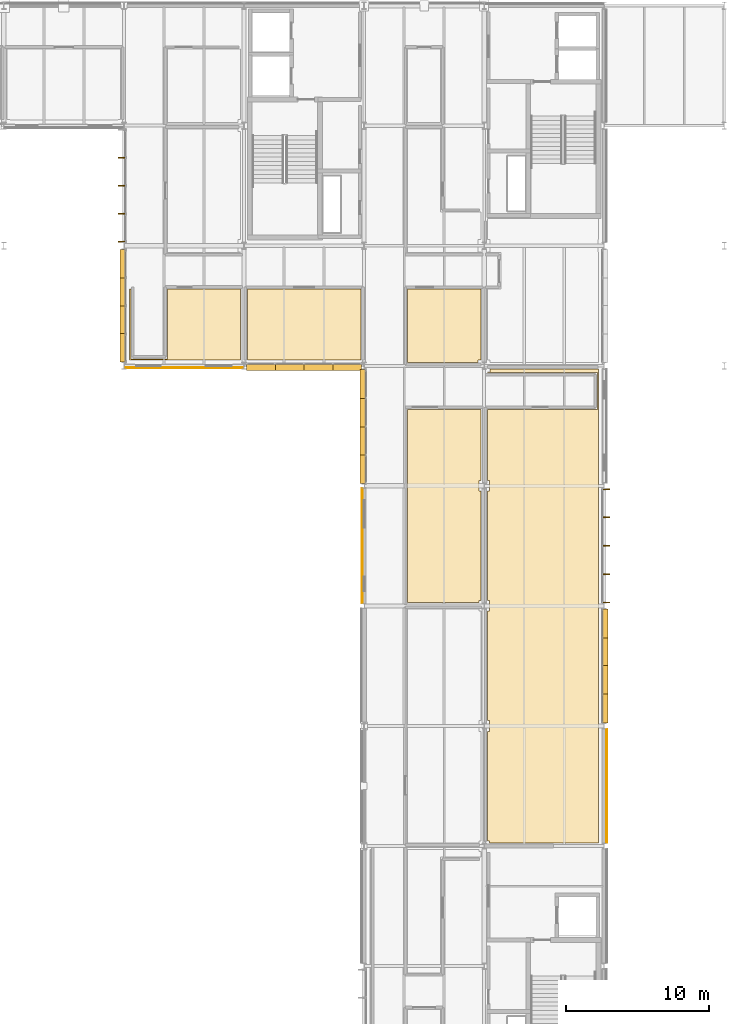
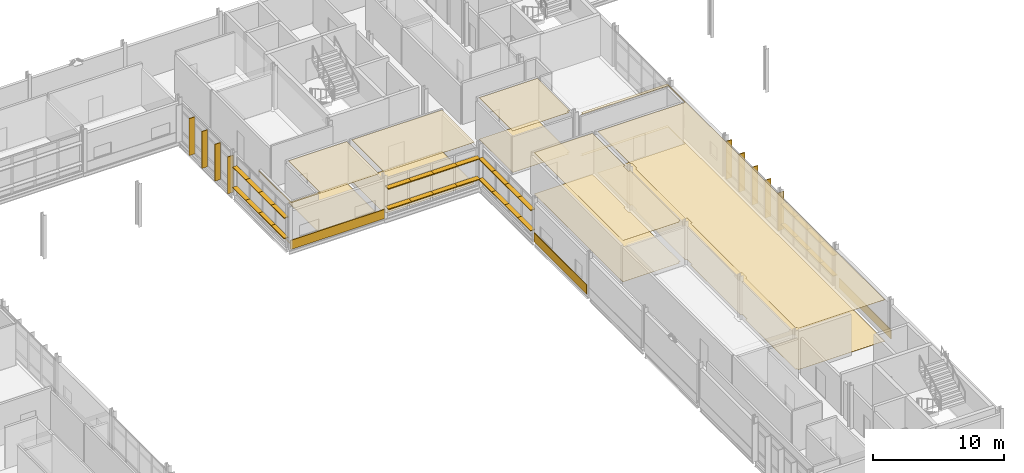
# One storey, part 128 of 131: 41 shading devices, 13 coverings.
"""IFC4 building model written with IfcOpenShell, lengths in metres."""

from ifc_helpers import new_model, si_unit, direction, frame, origin, origin_2d, place, context, subcontext, project, spatial, polyline, rectangle, outline, extrude, material, layer, layer_set, type_object, element, save


model = new_model("IFC4")

# Units and contexts
model_context = context("Model", 3, precision=1e-05, world=origin(), true_north=direction((0.0, 1.0)))
body_context = subcontext(model_context, "Body", "Model", "MODEL_VIEW")
ifc_project = project(units=[si_unit("LENGTHUNIT", "METRE"), si_unit("AREAUNIT", "SQUARE_METRE"), si_unit("VOLUMEUNIT", "CUBIC_METRE"), si_unit("PLANEANGLEUNIT", "RADIAN"), si_unit("MASSUNIT", "GRAM", prefix="KILO")], contexts=[model_context])

# Site, building, storey
site_placement = place(None, origin())
site = spatial("IfcSite", under=ifc_project, at=site_placement, CompositionType="ELEMENT")
building_placement = place(site_placement, origin())
building = spatial("IfcBuilding", under=site, at=building_placement, Name="Mersafa Astral City Hall", CompositionType="ELEMENT")
storey_placement = place(building_placement, frame((0.0, 0.0, 13.949951171875)))
storey = spatial("IfcBuildingStorey", under=building, at=storey_placement, Name="L03", CompositionType="ELEMENT", Elevation=13.949951171875)

# Coverings
ifc_material_1 = material(Name="Cairo Mokattam buff limestone cladding", Category="masonry")
ifc_layer_1 = layer(ifc_material_1, 0.06005859375, Name="Cairo Mokattam buff limestone cladding")
ifc_layer_set_1 = layer_set([ifc_layer_1], Name="Cairo Mokattam buff limestone cladding — ENV-COV-LIMESTONE-60")
covering_type_1 = type_object("IfcCoveringType", Name="ENV-COV-LIMESTONE-60", PredefinedType="CLADDING", material=ifc_layer_set_1)
covering_1_placement = place(storey_placement, frame((147.0, 100.653076171875, 0.0), z_axis=(0.0, 0.0, 1.0), x_axis=(1.0, 0.0, 0.0)))
element("IfcCovering", 1, at=covering_1_placement, inside=storey, type_object=covering_type_1, Name="L03 Cairo buff limestone rainscreen cladding 224", PredefinedType="CLADDING", context=body_context, shape_type="SweptSolid", body=[
    extrude(rectangle(XDim=8.323974609375, YDim=0.06005859375, at=origin_2d()), origin(), (0.0, 0.0, 1.0), 0.860107421875),
])
covering_2_placement = place(storey_placement, frame((159.46044921875, 88.2099609375, 0.0), z_axis=(0.0, 0.0, 1.0), x_axis=(0.0, -1.0, 0.0)))
element("IfcCovering", 2, at=covering_2_placement, inside=storey, type_object=covering_type_1, Name="L03 Cairo buff limestone rainscreen cladding 225", PredefinedType="CLADDING", context=body_context, shape_type="SweptSolid", body=[
    extrude(rectangle(XDim=8.028076171875, YDim=0.06005859375, at=origin_2d()), origin(), (0.0, 0.0, 1.0), 0.860107421875),
])
covering_3_placement = place(storey_placement, frame((176.569580078125, 71.39990234375, 0.0), z_axis=(0.0, 0.0, 1.0), x_axis=(0.0, 1.0, 0.0)))
element("IfcCovering", 3, at=covering_3_placement, inside=storey, type_object=covering_type_1, Name="L03 Cairo buff limestone rainscreen cladding 233", PredefinedType="CLADDING", context=body_context, shape_type="SweptSolid", body=[
    extrude(rectangle(XDim=7.947998046875, YDim=0.06005859375, at=origin_2d()), origin(), (0.0, 0.0, 1.0), 0.860107421875),
])

# Shading devices
ifc_material_2 = material(Name="Anodised bronze aluminium solar fin", Category="aluminium")
shading_device_type_1 = type_object("IfcShadingDeviceType", Name="ENV-SHD-FIN-500A", PredefinedType="USERDEFINED", material=ifc_material_2)
for number, where, z_axis, x_axis, name in (
    (4, (142.655029296875, 115.368896484375, -0.014892578125), (0.0, 0.0, 1.0), (0.0, -1.0, 0.0), "L03 Vertical bronze solar fin 1024"),
    (5, (142.655029296875, 113.39990234375, -0.014892578125), (0.0, 0.0, 1.0), (0.0, -1.0, 0.0), "L03 Vertical bronze solar fin 1025"),
    (6, (142.655029296875, 111.430908203125, -0.014892578125), (0.0, 0.0, 1.0), (0.0, -1.0, 0.0), "L03 Vertical bronze solar fin 1026"),
    (7, (142.655029296875, 109.491943359375, -0.014892578125), (0.0, 0.0, 1.0), (0.0, -1.0, 0.0), "L03 Vertical bronze solar fin 1027"),
):
    element("IfcShadingDevice", number, at=place(storey_placement, frame(where, z_axis=z_axis, x_axis=x_axis)), inside=storey, type_object=shading_device_type_1, Name=name, ObjectType="FIN", PredefinedType="USERDEFINED", context=body_context, shape_type="SweptSolid", body=[
        extrude(rectangle(XDim=0.06005859375, YDim=0.5, at=origin_2d()), origin(), (0.0, 0.0, 1.0), 3.43701171875),
    ])
for number, where, z_axis, x_axis, name in (
    (8, (176.544921875, 84.241943359375, -0.01513671875), (0.0, 0.0, 1.0), (0.0, 1.0, 0.0), "L03 Vertical bronze solar fin 1065"),
    (9, (176.544921875, 86.2060546875, -0.01513671875), (0.0, 0.0, 1.0), (0.0, 1.0, 0.0), "L03 Vertical bronze solar fin 1066"),
    (10, (176.544921875, 88.199951171875, -0.01513671875), (0.0, 0.0, 1.0), (0.0, 1.0, 0.0), "L03 Vertical bronze solar fin 1067"),
    (11, (176.544921875, 90.194091796875, -0.01513671875), (0.0, 0.0, 1.0), (0.0, 1.0, 0.0), "L03 Vertical bronze solar fin 1068"),
    (12, (176.544921875, 92.157958984375, -0.01513671875), (0.0, 0.0, 1.0), (0.0, 1.0, 0.0), "L03 Vertical bronze solar fin 1069"),
):
    element("IfcShadingDevice", number, at=place(storey_placement, frame(where, z_axis=z_axis, x_axis=x_axis)), inside=storey, type_object=shading_device_type_1, Name=name, ObjectType="FIN", PredefinedType="USERDEFINED", context=body_context, shape_type="SweptSolid", body=[
        extrude(rectangle(XDim=0.06005859375, YDim=0.5, at=origin_2d()), origin(), (0.0, 0.0, 1.0), 3.527099609375),
    ])
ifc_material_3 = material(Name="Kiln-dried cedar timber brise-soleil blade", Category="wood")
shading_device_type_2 = type_object("IfcShadingDeviceType", Name="ENV-SHD-LOUVRE-380", PredefinedType="JALOUSIE", material=ifc_material_3)
shading_device_1_placement = place(storey_placement, frame((142.719970703125, 107.9384765625, 0.81494140625), z_axis=(0.0, 0.0, 1.0), x_axis=(0.0, -1.0, 0.0)))
element("IfcShadingDevice", 13, at=shading_device_1_placement, inside=storey, type_object=shading_device_type_2, Name="L03 Horizontal cedar brise-soleil louvre 1028", PredefinedType="JALOUSIE", context=body_context, shape_type="SweptSolid", body=[
    extrude(rectangle(XDim=1.97900390625, YDim=0.3798828125, at=origin_2d()), origin(), (0.0, 0.0, 1.0), 0.070068359375),
])
for number, where, z_axis, x_axis, name in (
    (14, (142.719970703125, 105.984619140625, 0.81494140625), (0.0, 0.0, 1.0), (0.0, -1.0, 0.0), "L03 Horizontal cedar brise-soleil louvre 1029"),
    (15, (142.719970703125, 104.015380859375, 0.81494140625), (0.0, 0.0, 1.0), (0.0, -1.0, 0.0), "L03 Horizontal cedar brise-soleil louvre 1030"),
):
    element("IfcShadingDevice", number, at=place(storey_placement, frame(where, z_axis=z_axis, x_axis=x_axis)), inside=storey, type_object=shading_device_type_2, Name=name, PredefinedType="JALOUSIE", context=body_context, shape_type="SweptSolid", body=[
        extrude(rectangle(XDim=2.009033203125, YDim=0.3798828125, at=origin_2d()), origin(), (0.0, 0.0, 1.0), 0.070068359375),
    ])
for number, where, z_axis, x_axis, name in (
    (16, (142.719970703125, 102.0615234375, 0.81494140625), (0.0, 0.0, 1.0), (0.0, -1.0, 0.0), "L03 Horizontal cedar brise-soleil louvre 1031"),
    (17, (142.719970703125, 107.9384765625, 2.71484375), (0.0, 0.0, 1.0), (0.0, -1.0, 0.0), "L03 Horizontal cedar brise-soleil louvre 1032"),
):
    element("IfcShadingDevice", number, at=place(storey_placement, frame(where, z_axis=z_axis, x_axis=x_axis)), inside=storey, type_object=shading_device_type_2, Name=name, PredefinedType="JALOUSIE", context=body_context, shape_type="SweptSolid", body=[
        extrude(rectangle(XDim=1.97900390625, YDim=0.3798828125, at=origin_2d()), origin(), (0.0, 0.0, 1.0), 0.070068359375),
    ])
for number, where, z_axis, x_axis, name in (
    (18, (142.719970703125, 105.984619140625, 2.71484375), (0.0, 0.0, 1.0), (0.0, -1.0, 0.0), "L03 Horizontal cedar brise-soleil louvre 1033"),
    (19, (142.719970703125, 104.015380859375, 2.71484375), (0.0, 0.0, 1.0), (0.0, -1.0, 0.0), "L03 Horizontal cedar brise-soleil louvre 1034"),
):
    element("IfcShadingDevice", number, at=place(storey_placement, frame(where, z_axis=z_axis, x_axis=x_axis)), inside=storey, type_object=shading_device_type_2, Name=name, PredefinedType="JALOUSIE", context=body_context, shape_type="SweptSolid", body=[
        extrude(rectangle(XDim=2.009033203125, YDim=0.3798828125, at=origin_2d()), origin(), (0.0, 0.0, 1.0), 0.070068359375),
    ])
shading_device_2_placement = place(storey_placement, frame((142.719970703125, 102.0615234375, 2.71484375), z_axis=(0.0, 0.0, 1.0), x_axis=(0.0, -1.0, 0.0)))
element("IfcShadingDevice", 20, at=shading_device_2_placement, inside=storey, type_object=shading_device_type_2, Name="L03 Horizontal cedar brise-soleil louvre 1035", PredefinedType="JALOUSIE", context=body_context, shape_type="SweptSolid", body=[
    extrude(rectangle(XDim=1.97900390625, YDim=0.3798828125, at=origin_2d()), origin(), (0.0, 0.0, 1.0), 0.070068359375),
])
shading_device_3_placement = place(storey_placement, frame((159.52001953125, 99.52587890625, 0.81494140625), z_axis=(0.0, 0.0, 1.0), x_axis=(0.0, -1.0, 0.0)))
element("IfcShadingDevice", 21, at=shading_device_3_placement, inside=storey, type_object=shading_device_type_2, Name="L03 Horizontal cedar brise-soleil louvre 1044", PredefinedType="JALOUSIE", context=body_context, shape_type="SweptSolid", body=[
    extrude(rectangle(XDim=2.00390625, YDim=0.3798828125, at=origin_2d()), origin(), (0.0, 0.0, 1.0), 0.070068359375),
])
for number, where, z_axis, x_axis, name in (
    (22, (159.52001953125, 97.547119140625, 0.81494140625), (0.0, 0.0, 1.0), (0.0, -1.0, 0.0), "L03 Horizontal cedar brise-soleil louvre 1045"),
    (23, (159.52001953125, 95.552978515625, 0.81494140625), (0.0, 0.0, 1.0), (0.0, -1.0, 0.0), "L03 Horizontal cedar brise-soleil louvre 1046"),
):
    element("IfcShadingDevice", number, at=place(storey_placement, frame(where, z_axis=z_axis, x_axis=x_axis)), inside=storey, type_object=shading_device_type_2, Name=name, PredefinedType="JALOUSIE", context=body_context, shape_type="SweptSolid", body=[
        extrude(rectangle(XDim=2.033935546875, YDim=0.3798828125, at=origin_2d()), origin(), (0.0, 0.0, 1.0), 0.070068359375),
    ])
for number, where, z_axis, x_axis, name in (
    (24, (159.52001953125, 93.573974609375, 0.81494140625), (0.0, 0.0, 1.0), (0.0, -1.0, 0.0), "L03 Horizontal cedar brise-soleil louvre 1047"),
    (25, (159.52001953125, 99.52587890625, 2.71484375), (0.0, 0.0, 1.0), (0.0, -1.0, 0.0), "L03 Horizontal cedar brise-soleil louvre 1048"),
):
    element("IfcShadingDevice", number, at=place(storey_placement, frame(where, z_axis=z_axis, x_axis=x_axis)), inside=storey, type_object=shading_device_type_2, Name=name, PredefinedType="JALOUSIE", context=body_context, shape_type="SweptSolid", body=[
        extrude(rectangle(XDim=2.00390625, YDim=0.3798828125, at=origin_2d()), origin(), (0.0, 0.0, 1.0), 0.070068359375),
    ])
for number, where, z_axis, x_axis, name in (
    (26, (159.52001953125, 97.547119140625, 2.71484375), (0.0, 0.0, 1.0), (0.0, -1.0, 0.0), "L03 Horizontal cedar brise-soleil louvre 1049"),
    (27, (159.52001953125, 95.552978515625, 2.71484375), (0.0, 0.0, 1.0), (0.0, -1.0, 0.0), "L03 Horizontal cedar brise-soleil louvre 1050"),
):
    element("IfcShadingDevice", number, at=place(storey_placement, frame(where, z_axis=z_axis, x_axis=x_axis)), inside=storey, type_object=shading_device_type_2, Name=name, PredefinedType="JALOUSIE", context=body_context, shape_type="SweptSolid", body=[
        extrude(rectangle(XDim=2.033935546875, YDim=0.3798828125, at=origin_2d()), origin(), (0.0, 0.0, 1.0), 0.070068359375),
    ])
for number, where, z_axis, x_axis, name in (
    (28, (159.52001953125, 93.573974609375, 2.71484375), (0.0, 0.0, 1.0), (0.0, -1.0, 0.0), "L03 Horizontal cedar brise-soleil louvre 1051"),
    (29, (176.47998046875, 76.823974609375, 0.81494140625), (0.0, 0.0, 1.0), (0.0, 1.0, 0.0), "L03 Horizontal cedar brise-soleil louvre 1057"),
):
    element("IfcShadingDevice", number, at=place(storey_placement, frame(where, z_axis=z_axis, x_axis=x_axis)), inside=storey, type_object=shading_device_type_2, Name=name, PredefinedType="JALOUSIE", context=body_context, shape_type="SweptSolid", body=[
        extrude(rectangle(XDim=2.00390625, YDim=0.3798828125, at=origin_2d()), origin(), (0.0, 0.0, 1.0), 0.070068359375),
    ])
for number, where, z_axis, x_axis, name in (
    (30, (176.47998046875, 78.802978515625, 0.81494140625), (0.0, 0.0, 1.0), (0.0, 1.0, 0.0), "L03 Horizontal cedar brise-soleil louvre 1058"),
    (31, (176.47998046875, 80.797119140625, 0.81494140625), (0.0, 0.0, 1.0), (0.0, 1.0, 0.0), "L03 Horizontal cedar brise-soleil louvre 1059"),
):
    element("IfcShadingDevice", number, at=place(storey_placement, frame(where, z_axis=z_axis, x_axis=x_axis)), inside=storey, type_object=shading_device_type_2, Name=name, PredefinedType="JALOUSIE", context=body_context, shape_type="SweptSolid", body=[
        extrude(rectangle(XDim=2.033935546875, YDim=0.3798828125, at=origin_2d()), origin(), (0.0, 0.0, 1.0), 0.070068359375),
    ])
for number, where, z_axis, x_axis, name in (
    (32, (176.47998046875, 82.77587890625, 0.81494140625), (0.0, 0.0, 1.0), (0.0, 1.0, 0.0), "L03 Horizontal cedar brise-soleil louvre 1060"),
    (33, (176.47998046875, 76.823974609375, 2.71484375), (0.0, 0.0, 1.0), (0.0, 1.0, 0.0), "L03 Horizontal cedar brise-soleil louvre 1061"),
):
    element("IfcShadingDevice", number, at=place(storey_placement, frame(where, z_axis=z_axis, x_axis=x_axis)), inside=storey, type_object=shading_device_type_2, Name=name, PredefinedType="JALOUSIE", context=body_context, shape_type="SweptSolid", body=[
        extrude(rectangle(XDim=2.00390625, YDim=0.3798828125, at=origin_2d()), origin(), (0.0, 0.0, 1.0), 0.070068359375),
    ])
for number, where, z_axis, x_axis, name in (
    (34, (176.47998046875, 78.802978515625, 2.71484375), (0.0, 0.0, 1.0), (0.0, 1.0, 0.0), "L03 Horizontal cedar brise-soleil louvre 1062"),
    (35, (176.47998046875, 80.797119140625, 2.71484375), (0.0, 0.0, 1.0), (0.0, 1.0, 0.0), "L03 Horizontal cedar brise-soleil louvre 1063"),
):
    element("IfcShadingDevice", number, at=place(storey_placement, frame(where, z_axis=z_axis, x_axis=x_axis)), inside=storey, type_object=shading_device_type_2, Name=name, PredefinedType="JALOUSIE", context=body_context, shape_type="SweptSolid", body=[
        extrude(rectangle(XDim=2.033935546875, YDim=0.3798828125, at=origin_2d()), origin(), (0.0, 0.0, 1.0), 0.070068359375),
    ])
shading_device_4_placement = place(storey_placement, frame((176.47998046875, 82.77587890625, 2.71484375), z_axis=(0.0, 0.0, 1.0), x_axis=(0.0, 1.0, 0.0)))
element("IfcShadingDevice", 36, at=shading_device_4_placement, inside=storey, type_object=shading_device_type_2, Name="L03 Horizontal cedar brise-soleil louvre 1064", PredefinedType="JALOUSIE", context=body_context, shape_type="SweptSolid", body=[
    extrude(rectangle(XDim=2.00390625, YDim=0.3798828125, at=origin_2d()), origin(), (0.0, 0.0, 1.0), 0.070068359375),
])
shading_device_type_3 = type_object("IfcShadingDeviceType", Name="ENV-SHD-LOUVRE-450", PredefinedType="JALOUSIE", material=ifc_material_3)
shading_device_5_placement = place(storey_placement, frame((152.386474609375, 100.68505859375, 0.81005859375), z_axis=(0.0, 0.0, 1.0), x_axis=(1.0, 0.0, 0.0)))
element("IfcShadingDevice", 37, at=shading_device_5_placement, inside=storey, type_object=shading_device_type_3, Name="L03 Horizontal cedar brise-soleil louvre 1036", PredefinedType="JALOUSIE", context=body_context, shape_type="SweptSolid", body=[
    extrude(rectangle(XDim=2.029052734375, YDim=0.449951171875, at=origin_2d()), origin(), (0.0, 0.0, 1.0), 0.080078125),
])
for number, where, z_axis, x_axis, name in (
    (38, (154.390380859375, 100.68505859375, 0.81005859375), (0.0, 0.0, 1.0), (1.0, 0.0, 0.0), "L03 Horizontal cedar brise-soleil louvre 1037"),
    (39, (156.409423828125, 100.68505859375, 0.81005859375), (0.0, 0.0, 1.0), (1.0, 0.0, 0.0), "L03 Horizontal cedar brise-soleil louvre 1038"),
):
    element("IfcShadingDevice", number, at=place(storey_placement, frame(where, z_axis=z_axis, x_axis=x_axis)), inside=storey, type_object=shading_device_type_3, Name=name, PredefinedType="JALOUSIE", context=body_context, shape_type="SweptSolid", body=[
        extrude(rectangle(XDim=2.05908203125, YDim=0.449951171875, at=origin_2d()), origin(), (0.0, 0.0, 1.0), 0.080078125),
    ])
for number, where, z_axis, x_axis, name in (
    (40, (158.41357421875, 100.68505859375, 0.81005859375), (0.0, 0.0, 1.0), (1.0, 0.0, 0.0), "L03 Horizontal cedar brise-soleil louvre 1039"),
    (41, (152.386474609375, 100.68505859375, 2.7099609375), (0.0, 0.0, 1.0), (1.0, 0.0, 0.0), "L03 Horizontal cedar brise-soleil louvre 1040"),
):
    element("IfcShadingDevice", number, at=place(storey_placement, frame(where, z_axis=z_axis, x_axis=x_axis)), inside=storey, type_object=shading_device_type_3, Name=name, PredefinedType="JALOUSIE", context=body_context, shape_type="SweptSolid", body=[
        extrude(rectangle(XDim=2.029052734375, YDim=0.449951171875, at=origin_2d()), origin(), (0.0, 0.0, 1.0), 0.080078125),
    ])
for number, where, z_axis, x_axis, name in (
    (42, (154.390380859375, 100.68505859375, 2.7099609375), (0.0, 0.0, 1.0), (1.0, 0.0, 0.0), "L03 Horizontal cedar brise-soleil louvre 1041"),
    (43, (156.409423828125, 100.68505859375, 2.7099609375), (0.0, 0.0, 1.0), (1.0, 0.0, 0.0), "L03 Horizontal cedar brise-soleil louvre 1042"),
):
    element("IfcShadingDevice", number, at=place(storey_placement, frame(where, z_axis=z_axis, x_axis=x_axis)), inside=storey, type_object=shading_device_type_3, Name=name, PredefinedType="JALOUSIE", context=body_context, shape_type="SweptSolid", body=[
        extrude(rectangle(XDim=2.05908203125, YDim=0.449951171875, at=origin_2d()), origin(), (0.0, 0.0, 1.0), 0.080078125),
    ])
shading_device_6_placement = place(storey_placement, frame((158.41357421875, 100.68505859375, 2.7099609375), z_axis=(0.0, 0.0, 1.0), x_axis=(1.0, 0.0, 0.0)))
element("IfcShadingDevice", 44, at=shading_device_6_placement, inside=storey, type_object=shading_device_type_3, Name="L03 Horizontal cedar brise-soleil louvre 1043", PredefinedType="JALOUSIE", context=body_context, shape_type="SweptSolid", body=[
    extrude(rectangle(XDim=2.029052734375, YDim=0.449951171875, at=origin_2d()), origin(), (0.0, 0.0, 1.0), 0.080078125),
])

# Coverings
ifc_material_4 = material(Name="Perforated acoustic gypsum board ceiling", Category="gypsum")
ifc_layer_2 = layer(ifc_material_4, 0.02490234375, Name="Perforated acoustic gypsum board ceiling")
ifc_layer_set_2 = layer_set([ifc_layer_2], Name="Perforated acoustic gypsum board ceiling — INT-COV-CEIL-25")
covering_type_2 = type_object("IfcCoveringType", Name="INT-COV-CEIL-25", PredefinedType="CEILING", material=ifc_layer_set_2)
covering_4_placement = place(storey_placement, frame((0.0, 0.0, 3.845947265625)))
element("IfcCovering", 45, at=covering_4_placement, inside=storey, type_object=covering_type_2, Name="L03 Municipal Administration Office L03-01 acoustic ceiling", PredefinedType="CEILING", context=body_context, shape_type="SweptSolid", body=[
    extrude(outline(polyline([(168.22998046875, 92.030029296875), (168.3701171875, 92.030029296875), (168.3701171875, 92.77001953125), (168.22998046875, 92.77001953125), (168.22998046875, 97.760009765625), (175.919921875, 97.760009765625), (175.919921875, 100.320068359375), (168.22998046875, 100.320068359375), (168.22998046875, 100.3798828125), (168.419921875, 100.3798828125), (168.419921875, 100.570068359375), (176.0, 100.570068359375), (176.0, 67.429931640625), (168.3701171875, 67.429931640625), (168.3701171875, 67.570068359375), (168.22998046875, 67.570068359375), (168.22998046875, 75.22998046875), (168.3701171875, 75.22998046875), (168.3701171875, 75.969970703125), (168.22998046875, 75.969970703125), (168.22998046875, 83.6298828125), (168.3701171875, 83.6298828125), (168.3701171875, 84.3701171875), (168.22998046875, 84.3701171875), (168.22998046875, 92.030029296875)])), origin(), (0.0, 0.0, 1.0), 0.025146484375),
])
covering_5_placement = place(storey_placement, frame((0.0, 0.0, 3.8310546875)))
element("IfcCovering", 46, at=covering_5_placement, inside=storey, type_object=covering_type_2, Name="L03 Public Procurement Review Room L03-07 acoustic ceiling", PredefinedType="CEILING", context=body_context, shape_type="SweptSolid", body=[
    extrude(outline(polyline([(167.77001953125, 92.77001953125), (167.6298828125, 92.77001953125), (167.6298828125, 92.030029296875), (167.77001953125, 92.030029296875), (167.77001953125, 84.3701171875), (167.6298828125, 84.3701171875), (167.6298828125, 84.22998046875), (162.639892578125, 84.22998046875), (162.639892578125, 97.760009765625), (167.77001953125, 97.760009765625), (167.77001953125, 92.77001953125)])), origin(), (0.0, 0.0, 1.0), 0.02490234375),
])
covering_6_placement = place(storey_placement, frame((0.0, 0.0, 3.845947265625)))
element("IfcCovering", 47, at=covering_6_placement, inside=storey, type_object=covering_type_2, Name="L03 Standing Committee Room L03-23 acoustic ceiling", PredefinedType="CEILING", context=body_context, shape_type="SweptSolid", body=[
    extrude(outline(polyline([(159.3701171875, 106.159912109375), (159.3701171875, 101.219970703125), (159.179931640625, 101.219970703125), (159.179931640625, 101.199951171875), (151.6201171875, 101.199951171875), (151.6201171875, 101.219970703125), (151.429931640625, 101.219970703125), (151.429931640625, 106.159912109375), (159.3701171875, 106.159912109375)])), origin(), (0.0, 0.0, 1.0), 0.025146484375),
])
covering_7_placement = place(storey_placement, frame((0.0, 0.0, 3.845947265625)))
element("IfcCovering", 48, at=covering_7_placement, inside=storey, type_object=covering_type_2, Name="L03 Public Restroom L03-27 acoustic ceiling", PredefinedType="CEILING", context=body_context, shape_type="SweptSolid", body=[
    extrude(outline(polyline([(143.219970703125, 101.219970703125), (143.199951171875, 101.219970703125), (143.199951171875, 106.159912109375), (143.280029296875, 106.159912109375), (143.280029296875, 101.280029296875), (145.840087890625, 101.280029296875), (145.840087890625, 106.159912109375), (150.969970703125, 106.159912109375), (150.969970703125, 101.219970703125), (150.780029296875, 101.219970703125), (150.780029296875, 101.199951171875), (143.219970703125, 101.199951171875), (143.219970703125, 101.219970703125)])), origin(), (0.0, 0.0, 1.0), 0.025146484375),
])
covering_8_placement = place(storey_placement, frame((0.0, 0.0, 3.845947265625)))
element("IfcCovering", 49, at=covering_8_placement, inside=storey, type_object=covering_type_2, Name="L03 Civil Engineering Directorate Office L03-30 acoustic ceiling", PredefinedType="CEILING", context=body_context, shape_type="SweptSolid", body=[
    extrude(outline(polyline([(167.77001953125, 101.219970703125), (167.580078125, 101.219970703125), (167.580078125, 101.030029296875), (162.639892578125, 101.030029296875), (162.639892578125, 106.159912109375), (167.77001953125, 106.159912109375), (167.77001953125, 101.219970703125)])), origin(), (0.0, 0.0, 1.0), 0.025146484375),
])
ifc_material_5 = material(Name="Heavy-duty woven acoustic carpet tile", Category="finish")
ifc_layer_3 = layer(ifc_material_5, 0.014892578125, Name="Heavy-duty woven acoustic carpet tile")
ifc_layer_set_3 = layer_set([ifc_layer_3], Name="Heavy-duty woven acoustic carpet tile — INT-COV-FLR-15")
covering_type_3 = type_object("IfcCoveringType", Name="INT-COV-FLR-15", PredefinedType="FLOORING", material=ifc_layer_set_3)
covering_9_placement = place(storey_placement, frame((0.0, 0.0, -0.00146484375)))
element("IfcCovering", 50, at=covering_9_placement, inside=storey, type_object=covering_type_3, Name="L03 Municipal Administration Office L03-01 architectural flooring", PredefinedType="FLOORING", context=body_context, shape_type="SweptSolid", body=[
    extrude(outline(polyline([(168.22998046875, 92.030029296875), (168.3701171875, 92.030029296875), (168.3701171875, 92.77001953125), (168.22998046875, 92.77001953125), (168.22998046875, 97.760009765625), (175.919921875, 97.760009765625), (175.919921875, 100.320068359375), (168.22998046875, 100.320068359375), (168.22998046875, 100.3798828125), (168.419921875, 100.3798828125), (168.419921875, 100.570068359375), (176.0, 100.570068359375), (176.0, 67.429931640625), (168.3701171875, 67.429931640625), (168.3701171875, 67.570068359375), (168.22998046875, 67.570068359375), (168.22998046875, 75.22998046875), (168.3701171875, 75.22998046875), (168.3701171875, 75.969970703125), (168.22998046875, 75.969970703125), (168.22998046875, 83.6298828125), (168.3701171875, 83.6298828125), (168.3701171875, 84.3701171875), (168.22998046875, 84.3701171875), (168.22998046875, 92.030029296875)])), origin(), (0.0, 0.0, 1.0), 0.014892578125),
])
covering_10_placement = place(storey_placement, frame((0.0, 0.0, -0.00146484375)))
element("IfcCovering", 51, at=covering_10_placement, inside=storey, type_object=covering_type_3, Name="L03 Public Procurement Review Room L03-07 architectural flooring", PredefinedType="FLOORING", context=body_context, shape_type="SweptSolid", body=[
    extrude(outline(polyline([(167.77001953125, 92.77001953125), (167.6298828125, 92.77001953125), (167.6298828125, 92.030029296875), (167.77001953125, 92.030029296875), (167.77001953125, 84.3701171875), (167.6298828125, 84.3701171875), (167.6298828125, 84.22998046875), (162.639892578125, 84.22998046875), (162.639892578125, 97.760009765625), (167.77001953125, 97.760009765625), (167.77001953125, 92.77001953125)])), origin(), (0.0, 0.0, 1.0), 0.014892578125),
])
covering_11_placement = place(storey_placement, frame((0.0, 0.0, -0.00146484375)))
element("IfcCovering", 52, at=covering_11_placement, inside=storey, type_object=covering_type_3, Name="L03 Standing Committee Room L03-23 architectural flooring", PredefinedType="FLOORING", context=body_context, shape_type="SweptSolid", body=[
    extrude(outline(polyline([(159.3701171875, 106.159912109375), (159.3701171875, 101.219970703125), (159.179931640625, 101.219970703125), (159.179931640625, 101.199951171875), (151.6201171875, 101.199951171875), (151.6201171875, 101.219970703125), (151.429931640625, 101.219970703125), (151.429931640625, 106.159912109375), (159.3701171875, 106.159912109375)])), origin(), (0.0, 0.0, 1.0), 0.014892578125),
])
covering_12_placement = place(storey_placement, frame((0.0, 0.0, -0.00146484375)))
element("IfcCovering", 53, at=covering_12_placement, inside=storey, type_object=covering_type_3, Name="L03 Public Restroom L03-27 architectural flooring", PredefinedType="FLOORING", context=body_context, shape_type="SweptSolid", body=[
    extrude(outline(polyline([(143.219970703125, 101.219970703125), (143.199951171875, 101.219970703125), (143.199951171875, 106.159912109375), (143.280029296875, 106.159912109375), (143.280029296875, 101.280029296875), (145.840087890625, 101.280029296875), (145.840087890625, 106.159912109375), (150.969970703125, 106.159912109375), (150.969970703125, 101.219970703125), (150.780029296875, 101.219970703125), (150.780029296875, 101.199951171875), (143.219970703125, 101.199951171875), (143.219970703125, 101.219970703125)])), origin(), (0.0, 0.0, 1.0), 0.014892578125),
])
covering_13_placement = place(storey_placement, frame((0.0, 0.0, -0.00146484375)))
element("IfcCovering", 54, at=covering_13_placement, inside=storey, type_object=covering_type_3, Name="L03 Civil Engineering Directorate Office L03-30 architectural flooring", PredefinedType="FLOORING", context=body_context, shape_type="SweptSolid", body=[
    extrude(outline(polyline([(167.77001953125, 101.219970703125), (167.580078125, 101.219970703125), (167.580078125, 101.030029296875), (162.639892578125, 101.030029296875), (162.639892578125, 106.159912109375), (167.77001953125, 106.159912109375), (167.77001953125, 101.219970703125)])), origin(), (0.0, 0.0, 1.0), 0.014892578125),
])

save(model, "model.ifc")
